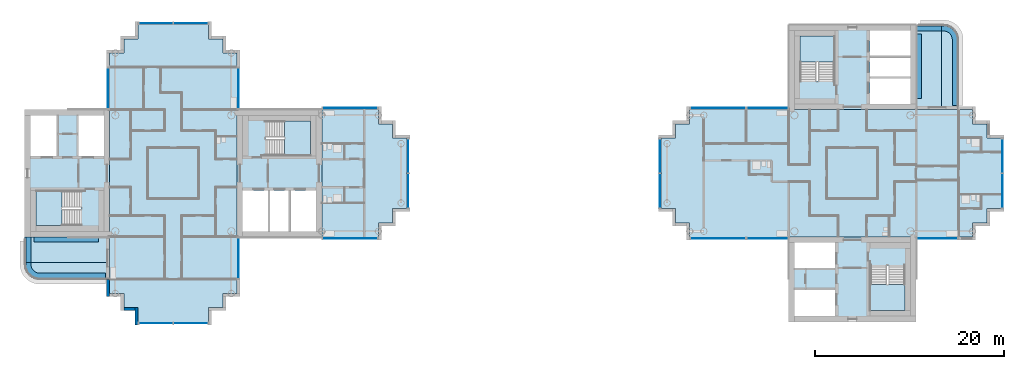
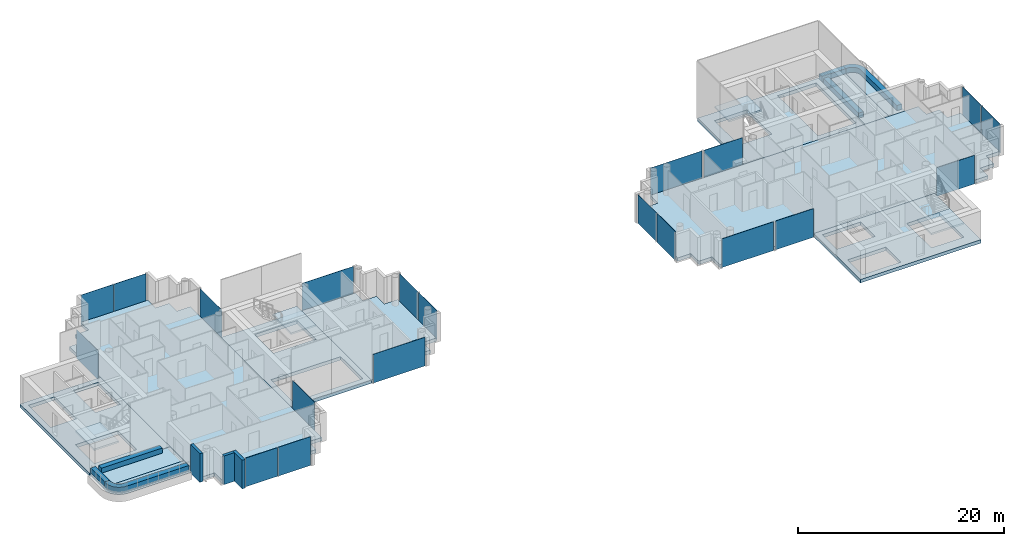
# One storey, part 5 of 18: 21 slabs, 20 plates, 3 walls, 19 elements without a shape of their own.
"""IFC4 building model written with IfcOpenShell, lengths in metres."""

from ifc_helpers import new_model, si_unit, direction, frame, frame_2d, origin, origin_2d, place, context, subcontext, project, spatial, polyline, rectangle, outline, extrude, material, layer, layer_set, type_object, element, aggregate, save


model = new_model("IFC4")

# Units and contexts
model_context = context("Model", 3, precision=1e-05, world=origin(), true_north=direction((0.0, 1.0)))
body_context = subcontext(model_context, "Body", "Model", "MODEL_VIEW")
ifc_project = project(units=[si_unit("LENGTHUNIT", "METRE"), si_unit("AREAUNIT", "SQUARE_METRE"), si_unit("VOLUMEUNIT", "CUBIC_METRE"), si_unit("PLANEANGLEUNIT", "RADIAN"), si_unit("MASSUNIT", "GRAM", prefix="KILO")], contexts=[model_context])

# Site, building, storey
site_placement = place(None, origin())
site = spatial("IfcSite", under=ifc_project, at=site_placement, CompositionType="ELEMENT")
building_placement = place(site_placement, origin())
building = spatial("IfcBuilding", under=site, at=building_placement, Name="Ipe Terrace Towers", CompositionType="ELEMENT")
storey_placement = place(building_placement, frame((0.0, 0.0, 192.60009765625)))
storey = spatial("IfcBuildingStorey", under=building, at=storey_placement, Name="L53", CompositionType="ELEMENT", Elevation=192.60009765625)

# Slabs
ifc_material_1 = material(Name="Concrete C30/37", Category="concrete")
ifc_layer_1 = layer(ifc_material_1, 0.199951171875)
ifc_layer_set_1 = layer_set([ifc_layer_1], Name="BALCONY SLAB 200")
slab_type_1 = type_object("IfcSlabType", Name="BALCONY SLAB 200", PredefinedType="FLOOR", material=ifc_layer_set_1)
slab_1_placement = place(storey_placement, frame((0.0, 0.0, -0.22021484375)))
element("IfcSlab", 1, at=slab_1_placement, inside=storey, type_object=slab_type_1, Name="balcony slab", PredefinedType="FLOOR", context=body_context, shape_type="SweptSolid", body=[
    extrude(outline(polyline([(-51.75, -6.75), (-51.75, -9.449951171875), (-42.75, -9.449951171875), (-42.75, -6.75), (-51.75, -6.75)])), origin(), (0.0, 0.0, 1.0), 0.2001953125),
])
slab_2_placement = place(storey_placement, frame((0.0, 0.0, -0.22021484375)))
element("IfcSlab", 2, at=slab_2_placement, inside=storey, type_object=slab_type_1, Name="balcony slab", PredefinedType="FLOOR", context=body_context, shape_type="SweptSolid", body=[
    extrude(outline(polyline([(-42.75, -11.25), (-42.75, -9.449951171875), (-51.75, -9.449951171875), (-51.75, -9.64990234375), (-51.736083984375, -9.85888671875), (-51.695068359375, -10.06396484375), (-51.6279296875, -10.261962890625), (-51.535888671875, -10.449951171875), (-51.4189453125, -10.6240234375), (-51.281005859375, -10.781005859375), (-51.1240234375, -10.9189453125), (-50.949951171875, -11.035888671875), (-50.761962890625, -11.1279296875), (-50.56396484375, -11.195068359375), (-50.35888671875, -11.236083984375), (-50.14990234375, -11.25), (-42.75, -11.25)])), origin(), (0.0, 0.0, 1.0), 0.2001953125),
])
slab_3_placement = place(storey_placement, frame((0.0, 0.0, -0.22021484375)))
element("IfcSlab", 3, at=slab_3_placement, inside=storey, type_object=slab_type_1, Name="balcony slab", PredefinedType="FLOOR", context=body_context, shape_type="SweptSolid", body=[
    extrude(outline(polyline([(42.75, 15.75), (42.75, 6.75), (45.449951171875, 6.75), (45.449951171875, 15.75), (42.75, 15.75)])), origin(), (0.0, 0.0, 1.0), 0.2001953125),
])
slab_4_placement = place(storey_placement, frame((0.0, 0.0, -0.22021484375)))
element("IfcSlab", 4, at=slab_4_placement, inside=storey, type_object=slab_type_1, Name="balcony slab", PredefinedType="FLOOR", context=body_context, shape_type="SweptSolid", body=[
    extrude(outline(polyline([(47.25, 6.75), (47.25, 14.14990234375), (47.236083984375, 14.35888671875), (47.195068359375, 14.56396484375), (47.1279296875, 14.761962890625), (47.035888671875, 14.949951171875), (46.9189453125, 15.1240234375), (46.781005859375, 15.281005859375), (46.6240234375, 15.4189453125), (46.449951171875, 15.535888671875), (46.261962890625, 15.6279296875), (46.06396484375, 15.695068359375), (45.85888671875, 15.736083984375), (45.64990234375, 15.75), (45.449951171875, 15.75), (45.449951171875, 6.75), (47.25, 6.75)])), origin(), (0.0, 0.0, 1.0), 0.2001953125),
])
ifc_material_2 = material(Name="Concrete C30/37", Category="concrete")
ifc_layer_2 = layer(ifc_material_2, 0.39990234375)
ifc_layer_set_2 = layer_set([ifc_layer_2], Name="CORE FLOOR SLAB 400 C30-37")
slab_type_2 = type_object("IfcSlabType", Name="CORE FLOOR SLAB 400 C30-37", PredefinedType="FLOOR", material=ifc_layer_set_2)
slab_5_placement = place(storey_placement, frame((0.0, 0.0, -0.400146484375)))
element("IfcSlab", 5, at=slab_5_placement, inside=storey, type_object=slab_type_2, Name="Core floor T1-C1", PredefinedType="FLOOR", context=body_context, shape_type="SweptSolid", body=[
    extrude(outline(polyline([(-29.25, -6.75), (-29.25, 6.75), (-20.25, 6.75), (-20.25, -6.75), (-29.25, -6.75)]), holes=[polyline([(-28.64990234375, -6.14990234375), (-20.85009765625, -6.14990234375), (-20.85009765625, -1.85009765625), (-28.64990234375, -1.85009765625), (-28.64990234375, -6.14990234375)]), polyline([(-26.199951171875, 5.550048828125), (-26.199951171875, 1.89990234375), (-21.449951171875, 1.89990234375), (-21.449951171875, 5.550048828125), (-26.199951171875, 5.550048828125)])]), origin(), (0.0, 0.0, 1.0), 0.400146484375),
])
slab_6_placement = place(storey_placement, frame((0.0, 0.0, -0.400146484375)))
element("IfcSlab", 6, at=slab_6_placement, inside=storey, type_object=slab_type_2, Name="Core floor T1-C2", PredefinedType="FLOOR", context=body_context, shape_type="SweptSolid", body=[
    extrude(outline(polyline([(-51.75, -6.75), (-51.75, 6.75), (-42.75, 6.75), (-42.75, -6.75), (-51.75, -6.75)]), holes=[polyline([(-45.800048828125, -1.89990234375), (-50.550048828125, -1.89990234375), (-50.550048828125, -5.550048828125), (-45.800048828125, -5.550048828125), (-45.800048828125, -1.89990234375)]), polyline([(-48.25, 1.85009765625), (-48.25, 6.14990234375), (-51.14990234375, 6.14990234375), (-51.14990234375, 1.85009765625), (-48.25, 1.85009765625)]), polyline([(-43.35009765625, 1.85009765625), (-43.35009765625, 6.14990234375), (-46.14990234375, 6.14990234375), (-46.14990234375, 1.85009765625), (-43.35009765625, 1.85009765625)])]), origin(), (0.0, 0.0, 1.0), 0.400146484375),
])
slab_7_placement = place(storey_placement, frame((0.0, 0.0, -0.400146484375)))
element("IfcSlab", 7, at=slab_7_placement, inside=storey, type_object=slab_type_2, Name="Core floor T2-C1", PredefinedType="FLOOR", context=body_context, shape_type="SweptSolid", body=[
    extrude(outline(polyline([(29.25, 6.75), (29.25, 15.75), (42.75, 15.75), (42.75, 6.75), (29.25, 6.75)]), holes=[polyline([(42.14990234375, 7.35009765625), (42.14990234375, 15.14990234375), (37.85009765625, 15.14990234375), (37.85009765625, 7.35009765625), (42.14990234375, 7.35009765625)]), polyline([(30.449951171875, 9.800048828125), (34.10009765625, 9.800048828125), (34.10009765625, 14.550048828125), (30.449951171875, 14.550048828125), (30.449951171875, 9.800048828125)])]), origin(), (0.0, 0.0, 1.0), 0.400146484375),
])
slab_8_placement = place(storey_placement, frame((0.0, 0.0, -0.400146484375)))
element("IfcSlab", 8, at=slab_8_placement, inside=storey, type_object=slab_type_2, Name="Core floor T2-C2", PredefinedType="FLOOR", context=body_context, shape_type="SweptSolid", body=[
    extrude(outline(polyline([(29.25, -15.75), (29.25, -6.75), (42.75, -6.75), (42.75, -15.75), (29.25, -15.75)]), holes=[polyline([(29.85009765625, -12.25), (29.85009765625, -15.14990234375), (34.14990234375, -15.14990234375), (34.14990234375, -12.25), (29.85009765625, -12.25)]), polyline([(41.550048828125, -9.800048828125), (37.89990234375, -9.800048828125), (37.89990234375, -14.550048828125), (41.550048828125, -14.550048828125), (41.550048828125, -9.800048828125)]), polyline([(34.14990234375, -7.35009765625), (29.85009765625, -7.35009765625), (29.85009765625, -10.14990234375), (34.14990234375, -10.14990234375), (34.14990234375, -7.35009765625)])]), origin(), (0.0, 0.0, 1.0), 0.400146484375),
])

# Stair, slab
ifc_material_3 = material(Name="Concrete C30/37", Category="concrete")
stair_type = type_object("IfcStairType", Name="Protected exit stair", PredefinedType="HALF_TURN_STAIR", material=ifc_material_3)
stair_1_placement = place(storey_placement, origin())
stair_1 = element("IfcStair", 9, at=stair_1_placement, inside=storey, type_object=stair_type, Name="L53 Exit stair T1-C1", PredefinedType="HALF_TURN_STAIR")
ifc_material_4 = material(Name="Concrete C30/37", Category="concrete")
ifc_layer_3 = layer(ifc_material_4, 0.199951171875)
ifc_layer_set_3 = layer_set([ifc_layer_3], Name="Exit stair landing 200")
slab_type_3 = type_object("IfcSlabType", Name="Exit stair landing 200", PredefinedType="LANDING", material=ifc_layer_set_3)
slab_9_placement = place(storey_placement, frame((0.0, 0.0, 1.5)))
slab_9 = element("IfcSlab", 10, at=slab_9_placement, type_object=slab_type_3, Name="T1-ST1 landing 1", PredefinedType="LANDING", context=body_context, shape_type="SweptSolid", body=[
    extrude(outline(polyline([(-24.219970703125, 1.89990234375), (-21.449951171875, 1.89990234375), (-21.449951171875, 5.550048828125), (-24.219970703125, 5.550048828125), (-24.219970703125, 1.89990234375)])), origin(), (0.0, 0.0, 1.0), 0.199951171875),
])
aggregate(stair_1, [slab_9])

stair_2_placement = place(storey_placement, origin())
stair_2 = element("IfcStair", 11, at=stair_2_placement, inside=storey, type_object=stair_type, Name="L53 Exit stair T1-C2", PredefinedType="HALF_TURN_STAIR")
slab_10_placement = place(storey_placement, frame((0.0, 0.0, 1.5)))
slab_10 = element("IfcSlab", 12, at=slab_10_placement, type_object=slab_type_3, Name="T1-ST2 landing 1", PredefinedType="LANDING", context=body_context, shape_type="SweptSolid", body=[
    extrude(outline(polyline([(-47.780029296875, -1.89990234375), (-50.550048828125, -1.89990234375), (-50.550048828125, -5.550048828125), (-47.780029296875, -5.550048828125), (-47.780029296875, -1.89990234375)])), origin(), (0.0, 0.0, 1.0), 0.199951171875),
])
aggregate(stair_2, [slab_10])

stair_3_placement = place(storey_placement, origin())
stair_3 = element("IfcStair", 13, at=stair_3_placement, inside=storey, type_object=stair_type, Name="L53 Exit stair T2-C1", PredefinedType="HALF_TURN_STAIR")
slab_11_placement = place(storey_placement, frame((0.0, 0.0, 1.5)))
slab_11 = element("IfcSlab", 14, at=slab_11_placement, type_object=slab_type_3, Name="T2-ST1 landing 1", PredefinedType="LANDING", context=body_context, shape_type="SweptSolid", body=[
    extrude(outline(polyline([(34.10009765625, 11.780029296875), (34.10009765625, 14.550048828125), (30.449951171875, 14.550048828125), (30.449951171875, 11.780029296875), (34.10009765625, 11.780029296875)])), origin(), (0.0, 0.0, 1.0), 0.199951171875),
])
aggregate(stair_3, [slab_11])

stair_4_placement = place(storey_placement, origin())
stair_4 = element("IfcStair", 15, at=stair_4_placement, inside=storey, type_object=stair_type, Name="L53 Exit stair T2-C2", PredefinedType="HALF_TURN_STAIR")
slab_12_placement = place(storey_placement, frame((0.0, 0.0, 1.5)))
slab_12 = element("IfcSlab", 16, at=slab_12_placement, type_object=slab_type_3, Name="T2-ST2 landing 1", PredefinedType="LANDING", context=body_context, shape_type="SweptSolid", body=[
    extrude(outline(polyline([(37.89990234375, -11.780029296875), (37.89990234375, -14.550048828125), (41.550048828125, -14.550048828125), (41.550048828125, -11.780029296875), (37.89990234375, -11.780029296875)])), origin(), (0.0, 0.0, 1.0), 0.199951171875),
])
aggregate(stair_4, [slab_12])

# Slabs
ifc_material_5 = material(Name="Concrete C40/50", Category="concrete")
ifc_layer_4 = layer(ifc_material_5, 0.39990234375)
ifc_layer_set_4 = layer_set([ifc_layer_4], Name="FLAT PLATE SLAB 400 C40-50")
slab_type_4 = type_object("IfcSlabType", Name="FLAT PLATE SLAB 400 C40-50", PredefinedType="FLOOR", material=ifc_layer_set_4)
slab_13_placement = place(storey_placement, frame((0.0, 0.0, -0.400146484375)))
element("IfcSlab", 17, at=slab_13_placement, inside=storey, type_object=slab_type_4, Name="Slab T1-FS-Z41", PredefinedType="FLOOR", context=body_context, shape_type="SweptSolid", body=[
    extrude(outline(polyline([(-30.75, -12.75), (-30.75, -14.25), (-32.25, -14.25), (-32.25, -15.75), (-39.75, -15.75), (-39.75, -14.25), (-41.25, -14.25), (-41.25, -12.75), (-42.75, -12.75), (-42.75, -6.75), (-42.75, 6.75), (-42.75, 12.75), (-41.25, 12.75), (-41.25, 14.25), (-39.75, 14.25), (-39.75, 15.75), (-32.25, 15.75), (-32.25, 14.25), (-30.75, 14.25), (-30.75, 12.75), (-29.25, 12.75), (-29.25, 6.75), (-29.25, -6.75), (-29.25, -12.75), (-30.75, -12.75)])), origin(), (0.0, 0.0, 1.0), 0.400146484375),
])
slab_14_placement = place(storey_placement, frame((0.0, 0.0, -0.400146484375)))
element("IfcSlab", 18, at=slab_14_placement, inside=storey, type_object=slab_type_4, Name="Slab T1-FS-Z42", PredefinedType="FLOOR", context=body_context, shape_type="SweptSolid", body=[
    extrude(outline(polyline([(-14.25, 5.25), (-12.75, 5.25), (-12.75, 3.75), (-11.25, 3.75), (-11.25, -3.75), (-12.75, -3.75), (-12.75, -5.25), (-14.25, -5.25), (-14.25, -6.75), (-20.25, -6.75), (-20.25, 6.75), (-14.25, 6.75), (-14.25, 5.25)])), origin(), (0.0, 0.0, 1.0), 0.400146484375),
])
slab_15_placement = place(storey_placement, frame((0.0, 0.0, -0.400146484375)))
element("IfcSlab", 19, at=slab_15_placement, inside=storey, type_object=slab_type_4, Name="Slab T2-FS-Z41", PredefinedType="FLOOR", context=body_context, shape_type="SweptSolid", body=[
    extrude(outline(polyline([(48.75, 5.25), (50.25, 5.25), (50.25, 3.75), (51.75, 3.75), (51.75, -3.75), (50.25, -3.75), (50.25, -5.25), (48.75, -5.25), (48.75, -6.75), (42.75, -6.75), (29.25, -6.75), (18.75, -6.75), (18.75, -5.25), (17.25, -5.25), (17.25, -3.75), (15.75, -3.75), (15.75, 3.75), (17.25, 3.75), (17.25, 5.25), (18.75, 5.25), (18.75, 6.75), (29.25, 6.75), (42.75, 6.75), (48.75, 6.75), (48.75, 5.25)])), origin(), (0.0, 0.0, 1.0), 0.400146484375),
])
ifc_material_6 = material(Name="Concrete C30/37", Category="concrete")
ifc_layer_5 = layer(ifc_material_6, 0.60009765625)
ifc_layer_set_5 = layer_set([ifc_layer_5], Name="PLANTER TROUGH 550 x 600")
slab_type_5 = type_object("IfcSlabType", Name="PLANTER TROUGH 550 x 600", PredefinedType="USERDEFINED", material=ifc_layer_set_5)
slab_16_placement = place(storey_placement, frame((0.0, 0.0, -0.02001953125)))
element("IfcSlab", 20, at=slab_16_placement, inside=storey, type_object=slab_type_5, Name="planter", ObjectType="PLANTER", PredefinedType="USERDEFINED", context=body_context, shape_type="SweptSolid", body=[
    extrude(outline(polyline([(-51.639892578125, -6.75), (-51.639892578125, -9.449951171875), (-51.090087890625, -9.449951171875), (-51.090087890625, -6.75), (-51.639892578125, -6.75)])), origin(), (0.0, 0.0, 1.0), 0.599853515625),
])
slab_17_placement = place(storey_placement, frame((0.0, 0.0, -0.02001953125)))
element("IfcSlab", 21, at=slab_17_placement, inside=storey, type_object=slab_type_5, Name="planter", ObjectType="PLANTER", PredefinedType="USERDEFINED", context=body_context, shape_type="SweptSolid", body=[
    extrude(outline(polyline([(-51.056884765625, -9.89306640625), (-51.0810546875, -9.77294921875), (-51.090087890625, -9.6279296875), (-51.090087890625, -9.449951171875), (-51.639892578125, -9.449951171875), (-51.639892578125, -9.636962890625), (-51.638916015625, -9.655029296875), (-51.6279296875, -9.825927734375), (-51.6240234375, -9.862060546875), (-51.593017578125, -10.01806640625), (-51.5830078125, -10.052978515625), (-51.531982421875, -10.202880859375), (-51.51806640625, -10.236083984375), (-51.447998046875, -10.37890625), (-51.429931640625, -10.409912109375), (-51.342041015625, -10.5419921875), (-51.320068359375, -10.570068359375), (-51.215087890625, -10.68994140625), (-51.18994140625, -10.715087890625), (-51.070068359375, -10.820068359375), (-51.0419921875, -10.842041015625), (-50.909912109375, -10.929931640625), (-50.87890625, -10.947998046875), (-50.736083984375, -11.01806640625), (-50.702880859375, -11.031982421875), (-50.552978515625, -11.0830078125), (-50.51806640625, -11.093017578125), (-50.362060546875, -11.1240234375), (-50.325927734375, -11.1279296875), (-50.155029296875, -11.138916015625), (-50.136962890625, -11.139892578125), (-43.199951171875, -11.139892578125), (-43.199951171875, -10.590087890625), (-50.1279296875, -10.590087890625), (-50.27294921875, -10.5810546875), (-50.39306640625, -10.556884765625), (-50.509033203125, -10.51708984375), (-50.618896484375, -10.462890625), (-50.720947265625, -10.39501953125), (-50.81396484375, -10.31396484375), (-50.89501953125, -10.220947265625), (-50.962890625, -10.118896484375), (-51.01708984375, -10.009033203125), (-51.056884765625, -9.89306640625)])), origin(), (0.0, 0.0, 1.0), 0.599853515625),
])
slab_18_placement = place(storey_placement, frame((0.0, 0.0, -0.02001953125)))
element("IfcSlab", 22, at=slab_18_placement, inside=storey, type_object=slab_type_5, Name="planter", ObjectType="PLANTER", PredefinedType="USERDEFINED", context=body_context, shape_type="SweptSolid", body=[
    extrude(outline(polyline([(-43.949951171875, -6.75), (-50.75, -6.75), (-50.75, -7.300048828125), (-43.949951171875, -7.300048828125), (-43.949951171875, -6.75)])), origin(), (0.0, 0.0, 1.0), 0.599853515625),
])
slab_19_placement = place(storey_placement, frame((0.0, 0.0, -0.02001953125)))
element("IfcSlab", 23, at=slab_19_placement, inside=storey, type_object=slab_type_5, Name="planter", ObjectType="PLANTER", PredefinedType="USERDEFINED", context=body_context, shape_type="SweptSolid", body=[
    extrude(outline(polyline([(42.75, 15.639892578125), (42.75, 15.090087890625), (45.449951171875, 15.090087890625), (45.449951171875, 15.639892578125), (42.75, 15.639892578125)])), origin(), (0.0, 0.0, 1.0), 0.599853515625),
])
slab_20_placement = place(storey_placement, frame((0.0, 0.0, -0.02001953125)))
element("IfcSlab", 24, at=slab_20_placement, inside=storey, type_object=slab_type_5, Name="planter", ObjectType="PLANTER", PredefinedType="USERDEFINED", context=body_context, shape_type="SweptSolid", body=[
    extrude(outline(polyline([(45.89306640625, 15.056884765625), (46.009033203125, 15.01708984375), (46.118896484375, 14.962890625), (46.220947265625, 14.89501953125), (46.31396484375, 14.81396484375), (46.39501953125, 14.720947265625), (46.462890625, 14.618896484375), (46.51708984375, 14.509033203125), (46.556884765625, 14.39306640625), (46.5810546875, 14.27294921875), (46.590087890625, 14.1279296875), (46.590087890625, 7.199951171875), (47.139892578125, 7.199951171875), (47.139892578125, 14.136962890625), (47.138916015625, 14.155029296875), (47.1279296875, 14.325927734375), (47.1240234375, 14.362060546875), (47.093017578125, 14.51806640625), (47.0830078125, 14.552978515625), (47.031982421875, 14.702880859375), (47.01806640625, 14.736083984375), (46.947998046875, 14.87890625), (46.929931640625, 14.909912109375), (46.842041015625, 15.0419921875), (46.820068359375, 15.070068359375), (46.715087890625, 15.18994140625), (46.68994140625, 15.215087890625), (46.570068359375, 15.320068359375), (46.5419921875, 15.342041015625), (46.409912109375, 15.429931640625), (46.37890625, 15.447998046875), (46.236083984375, 15.51806640625), (46.202880859375, 15.531982421875), (46.052978515625, 15.5830078125), (46.01806640625, 15.593017578125), (45.862060546875, 15.6240234375), (45.825927734375, 15.6279296875), (45.655029296875, 15.638916015625), (45.636962890625, 15.639892578125), (45.449951171875, 15.639892578125), (45.449951171875, 15.090087890625), (45.6279296875, 15.090087890625), (45.77294921875, 15.0810546875), (45.89306640625, 15.056884765625)])), origin(), (0.0, 0.0, 1.0), 0.599853515625),
])
slab_21_placement = place(storey_placement, frame((0.0, 0.0, -0.02001953125)))
element("IfcSlab", 25, at=slab_21_placement, inside=storey, type_object=slab_type_5, Name="planter", ObjectType="PLANTER", PredefinedType="USERDEFINED", context=body_context, shape_type="SweptSolid", body=[
    extrude(outline(polyline([(42.75, 7.949951171875), (43.300048828125, 7.949951171875), (43.300048828125, 14.75), (42.75, 14.75), (42.75, 7.949951171875)])), origin(), (0.0, 0.0, 1.0), 0.599853515625),
])

# Curtain wall, plates
ifc_material_7 = material(Name="Aluminium alloy 6063-T6", Category="aluminium")
ifc_layer_6 = layer(ifc_material_7, 0.320068359375)
ifc_layer_set_6 = layer_set([ifc_layer_6], Name="TOWER UNITISED CURTAIN WALL")
curtain_wall_type = type_object("IfcCurtainWallType", Name="TOWER UNITISED CURTAIN WALL", PredefinedType="NOTDEFINED", material=ifc_layer_set_6)
curtain_wall_1_placement = place(storey_placement, origin())
curtain_wall_1 = element("IfcCurtainWall", 26, at=curtain_wall_1_placement, inside=storey, type_object=curtain_wall_type, Name="T1-CW-L53-08a curtain wall", PredefinedType="NOTDEFINED")
ifc_material_8 = material(Name="Glass, clear laminated", Category="glass")
ifc_layer_7 = layer(ifc_material_8, 0.031982421875)
ifc_layer_set_7 = layer_set([ifc_layer_7], Name="TOWER UNITISED GLASS PANEL 32")
plate_type = type_object("IfcPlateType", Name="TOWER UNITISED GLASS PANEL 32", PredefinedType="CURTAIN_PANEL", material=ifc_layer_set_7)
plate_1_placement = place(storey_placement, frame((-37.831298828125, -15.909912109375, -0.300048828125), z_axis=(0.0, 0.0, 1.0), x_axis=(1.0, 0.0, 0.0)))
plate_1 = element("IfcPlate", 27, at=plate_1_placement, type_object=plate_type, Name="T1-CW-L53-08a panel 1", PredefinedType="CURTAIN_PANEL", context=body_context, shape_type="SweptSolid", body=[
    extrude(rectangle(XDim=3.597412109375, YDim=0.031982421875, at=origin_2d()), origin(), (0.0, 0.0, 1.0), 3.39990234375),
])
plate_2_placement = place(storey_placement, frame((-34.168701171875, -15.909912109375, -0.300048828125), z_axis=(0.0, 0.0, 1.0), x_axis=(1.0, 0.0, 0.0)))
plate_2 = element("IfcPlate", 28, at=plate_2_placement, type_object=plate_type, Name="T1-CW-L53-08a panel 2", PredefinedType="CURTAIN_PANEL", context=body_context, shape_type="SweptSolid", body=[
    extrude(rectangle(XDim=3.597412109375, YDim=0.031982421875, at=origin_2d()), origin(), (0.0, 0.0, 1.0), 3.39990234375),
])
aggregate(curtain_wall_1, [plate_1, plate_2])

# Curtain wall, plate
curtain_wall_2_placement = place(storey_placement, origin())
curtain_wall_2 = element("IfcCurtainWall", 29, at=curtain_wall_2_placement, inside=storey, type_object=curtain_wall_type, Name="T1-CW-L53-14a curtain wall", PredefinedType="NOTDEFINED")
plate_3_placement = place(storey_placement, frame((-29.090087890625, -9.0, -0.300048828125), z_axis=(0.0, 0.0, 1.0), x_axis=(0.0, 1.0, 0.0)))
plate_3 = element("IfcPlate", 30, at=plate_3_placement, type_object=plate_type, Name="T1-CW-L53-14a panel 1", PredefinedType="CURTAIN_PANEL", context=body_context, shape_type="SweptSolid", body=[
    extrude(rectangle(XDim=4.260009765625, YDim=0.031982421875, at=origin_2d()), origin(), (0.0, 0.0, 1.0), 3.39990234375),
])
aggregate(curtain_wall_2, [plate_3])

curtain_wall_3_placement = place(storey_placement, origin())
curtain_wall_3 = element("IfcCurtainWall", 31, at=curtain_wall_3_placement, inside=storey, type_object=curtain_wall_type, Name="T1-CW-L53-16b curtain wall", PredefinedType="NOTDEFINED")
plate_4_placement = place(storey_placement, frame((-17.24951171875, -6.909912109375, -0.300048828125), z_axis=(0.0, 0.0, 1.0), x_axis=(1.0, 0.0, 0.0)))
plate_4 = element("IfcPlate", 32, at=plate_4_placement, type_object=plate_type, Name="T1-CW-L53-16b panel 1", PredefinedType="CURTAIN_PANEL", context=body_context, shape_type="SweptSolid", body=[
    extrude(rectangle(XDim=5.759033203125, YDim=0.031982421875, at=origin_2d()), origin(), (0.0, 0.0, 1.0), 3.39990234375),
])
aggregate(curtain_wall_3, [plate_4])

# Curtain wall, plates
curtain_wall_4_placement = place(storey_placement, origin())
curtain_wall_4 = element("IfcCurtainWall", 33, at=curtain_wall_4_placement, inside=storey, type_object=curtain_wall_type, Name="T1-CW-L53-21a curtain wall", PredefinedType="NOTDEFINED")
plate_5_placement = place(storey_placement, frame((-11.090087890625, -1.831298828125, -0.300048828125), z_axis=(0.0, 0.0, 1.0), x_axis=(0.0, 1.0, 0.0)))
plate_5 = element("IfcPlate", 34, at=plate_5_placement, type_object=plate_type, Name="T1-CW-L53-21a panel 1", PredefinedType="CURTAIN_PANEL", context=body_context, shape_type="SweptSolid", body=[
    extrude(rectangle(XDim=3.597412109375, YDim=0.031982421875, at=origin_2d()), origin(), (0.0, 0.0, 1.0), 3.39990234375),
])
plate_6_placement = place(storey_placement, frame((-11.090087890625, 1.831298828125, -0.300048828125), z_axis=(0.0, 0.0, 1.0), x_axis=(0.0, 1.0, 0.0)))
plate_6 = element("IfcPlate", 35, at=plate_6_placement, type_object=plate_type, Name="T1-CW-L53-21a panel 2", PredefinedType="CURTAIN_PANEL", context=body_context, shape_type="SweptSolid", body=[
    extrude(rectangle(XDim=3.597412109375, YDim=0.031982421875, at=origin_2d()), origin(), (0.0, 0.0, 1.0), 3.39990234375),
])
aggregate(curtain_wall_4, [plate_5, plate_6])

# Curtain wall, plate
curtain_wall_5_placement = place(storey_placement, origin())
curtain_wall_5 = element("IfcCurtainWall", 36, at=curtain_wall_5_placement, inside=storey, type_object=curtain_wall_type, Name="T1-CW-L53-26a curtain wall", PredefinedType="NOTDEFINED")
plate_7_placement = place(storey_placement, frame((-17.24951171875, 6.909912109375, -0.300048828125), z_axis=(0.0, 0.0, 1.0), x_axis=(-1.0, 0.0, 0.0)))
plate_7 = element("IfcPlate", 37, at=plate_7_placement, type_object=plate_type, Name="T1-CW-L53-26a panel 1", PredefinedType="CURTAIN_PANEL", context=body_context, shape_type="SweptSolid", body=[
    extrude(rectangle(XDim=5.759033203125, YDim=0.031982421875, at=origin_2d()), origin(), (0.0, 0.0, 1.0), 3.39990234375),
])
aggregate(curtain_wall_5, [plate_7])

curtain_wall_6_placement = place(storey_placement, origin())
curtain_wall_6 = element("IfcCurtainWall", 38, at=curtain_wall_6_placement, inside=storey, type_object=curtain_wall_type, Name="T1-CW-L53-28a curtain wall", PredefinedType="NOTDEFINED")
plate_8_placement = place(storey_placement, frame((-29.090087890625, 9.0, -0.300048828125), z_axis=(0.0, 0.0, 1.0), x_axis=(0.0, 1.0, 0.0)))
plate_8 = element("IfcPlate", 39, at=plate_8_placement, type_object=plate_type, Name="T1-CW-L53-28a panel 1", PredefinedType="CURTAIN_PANEL", context=body_context, shape_type="SweptSolid", body=[
    extrude(rectangle(XDim=4.260009765625, YDim=0.031982421875, at=origin_2d()), origin(), (0.0, 0.0, 1.0), 3.39990234375),
])
aggregate(curtain_wall_6, [plate_8])

# Curtain wall, plates
curtain_wall_7_placement = place(storey_placement, origin())
curtain_wall_7 = element("IfcCurtainWall", 40, at=curtain_wall_7_placement, inside=storey, type_object=curtain_wall_type, Name="T1-CW-L53-34a curtain wall", PredefinedType="NOTDEFINED")
plate_9_placement = place(storey_placement, frame((-34.168701171875, 15.909912109375, -0.300048828125), z_axis=(0.0, 0.0, 1.0), x_axis=(-1.0, 0.0, 0.0)))
plate_9 = element("IfcPlate", 41, at=plate_9_placement, type_object=plate_type, Name="T1-CW-L53-34a panel 1", PredefinedType="CURTAIN_PANEL", context=body_context, shape_type="SweptSolid", body=[
    extrude(rectangle(XDim=3.597412109375, YDim=0.031982421875, at=origin_2d()), origin(), (0.0, 0.0, 1.0), 3.39990234375),
])
plate_10_placement = place(storey_placement, frame((-37.831298828125, 15.909912109375, -0.300048828125), z_axis=(0.0, 0.0, 1.0), x_axis=(-1.0, 0.0, 0.0)))
plate_10 = element("IfcPlate", 42, at=plate_10_placement, type_object=plate_type, Name="T1-CW-L53-34a panel 2", PredefinedType="CURTAIN_PANEL", context=body_context, shape_type="SweptSolid", body=[
    extrude(rectangle(XDim=3.597412109375, YDim=0.031982421875, at=origin_2d()), origin(), (0.0, 0.0, 1.0), 3.39990234375),
])
aggregate(curtain_wall_7, [plate_9, plate_10])

# Curtain wall, plate
curtain_wall_8_placement = place(storey_placement, origin())
curtain_wall_8 = element("IfcCurtainWall", 43, at=curtain_wall_8_placement, inside=storey, type_object=curtain_wall_type, Name="T1-CW-L53-40a curtain wall", PredefinedType="NOTDEFINED")
plate_11_placement = place(storey_placement, frame((-42.909912109375, 9.0, -0.300048828125), z_axis=(0.0, 0.0, 1.0), x_axis=(0.0, -1.0, 0.0)))
plate_11 = element("IfcPlate", 44, at=plate_11_placement, type_object=plate_type, Name="T1-CW-L53-40a panel 1", PredefinedType="CURTAIN_PANEL", context=body_context, shape_type="SweptSolid", body=[
    extrude(rectangle(XDim=4.260009765625, YDim=0.031982421875, at=origin_2d()), origin(), (0.0, 0.0, 1.0), 3.39990234375),
])
aggregate(curtain_wall_8, [plate_11])

curtain_wall_9_placement = place(storey_placement, origin())
curtain_wall_9 = element("IfcCurtainWall", 45, at=curtain_wall_9_placement, inside=storey, type_object=curtain_wall_type, Name="T2-CW-L53-02a curtain wall", PredefinedType="NOTDEFINED")
plate_12_placement = place(storey_placement, frame((45.0, -6.909912109375, -0.300048828125), z_axis=(0.0, 0.0, 1.0), x_axis=(1.0, 0.0, 0.0)))
plate_12 = element("IfcPlate", 46, at=plate_12_placement, type_object=plate_type, Name="T2-CW-L53-02a panel 1", PredefinedType="CURTAIN_PANEL", context=body_context, shape_type="SweptSolid", body=[
    extrude(rectangle(XDim=4.260009765625, YDim=0.031982421875, at=origin_2d()), origin(), (0.0, 0.0, 1.0), 3.39990234375),
])
aggregate(curtain_wall_9, [plate_12])

# Curtain wall, plates
curtain_wall_10_placement = place(storey_placement, origin())
curtain_wall_10 = element("IfcCurtainWall", 47, at=curtain_wall_10_placement, inside=storey, type_object=curtain_wall_type, Name="T2-CW-L53-08a curtain wall", PredefinedType="NOTDEFINED")
plate_13_placement = place(storey_placement, frame((51.909912109375, -1.831298828125, -0.300048828125), z_axis=(0.0, 0.0, 1.0), x_axis=(0.0, 1.0, 0.0)))
plate_13 = element("IfcPlate", 48, at=plate_13_placement, type_object=plate_type, Name="T2-CW-L53-08a panel 1", PredefinedType="CURTAIN_PANEL", context=body_context, shape_type="SweptSolid", body=[
    extrude(rectangle(XDim=3.597412109375, YDim=0.031982421875, at=origin_2d()), origin(), (0.0, 0.0, 1.0), 3.39990234375),
])
plate_14_placement = place(storey_placement, frame((51.909912109375, 1.831298828125, -0.300048828125), z_axis=(0.0, 0.0, 1.0), x_axis=(0.0, 1.0, 0.0)))
plate_14 = element("IfcPlate", 49, at=plate_14_placement, type_object=plate_type, Name="T2-CW-L53-08a panel 2", PredefinedType="CURTAIN_PANEL", context=body_context, shape_type="SweptSolid", body=[
    extrude(rectangle(XDim=3.597412109375, YDim=0.031982421875, at=origin_2d()), origin(), (0.0, 0.0, 1.0), 3.39990234375),
])
aggregate(curtain_wall_10, [plate_13, plate_14])

# Curtain wall, plate
curtain_wall_11_placement = place(storey_placement, origin())
curtain_wall_11 = element("IfcCurtainWall", 50, at=curtain_wall_11_placement, inside=storey, type_object=curtain_wall_type, Name="T2-CW-L53-20a curtain wall", PredefinedType="NOTDEFINED")
plate_15_placement = place(storey_placement, frame((27.0, 6.909912109375, -0.300048828125), z_axis=(0.0, 0.0, 1.0), x_axis=(-1.0, 0.0, 0.0)))
plate_15 = element("IfcPlate", 51, at=plate_15_placement, type_object=plate_type, Name="T2-CW-L53-20a panel 1", PredefinedType="CURTAIN_PANEL", context=body_context, shape_type="SweptSolid", body=[
    extrude(rectangle(XDim=4.260009765625, YDim=0.031982421875, at=origin_2d()), origin(), (0.0, 0.0, 1.0), 3.39990234375),
])
aggregate(curtain_wall_11, [plate_15])

curtain_wall_12_placement = place(storey_placement, origin())
curtain_wall_12 = element("IfcCurtainWall", 52, at=curtain_wall_12_placement, inside=storey, type_object=curtain_wall_type, Name="T2-CW-L53-21a curtain wall", PredefinedType="NOTDEFINED")
plate_16_placement = place(storey_placement, frame((21.75, 6.909912109375, -0.300048828125), z_axis=(0.0, 0.0, 1.0), x_axis=(-1.0, 0.0, 0.0)))
plate_16 = element("IfcPlate", 53, at=plate_16_placement, type_object=plate_type, Name="T2-CW-L53-21a panel 1", PredefinedType="CURTAIN_PANEL", context=body_context, shape_type="SweptSolid", body=[
    extrude(rectangle(XDim=5.760009765625, YDim=0.031982421875, at=origin_2d()), origin(), (0.0, 0.0, 1.0), 3.39990234375),
])
aggregate(curtain_wall_12, [plate_16])

# Curtain wall, plates
curtain_wall_13_placement = place(storey_placement, origin())
curtain_wall_13 = element("IfcCurtainWall", 54, at=curtain_wall_13_placement, inside=storey, type_object=curtain_wall_type, Name="T2-CW-L53-26a curtain wall", PredefinedType="NOTDEFINED")
plate_17_placement = place(storey_placement, frame((15.590087890625, 1.831298828125, -0.300048828125), z_axis=(0.0, 0.0, 1.0), x_axis=(0.0, -1.0, 0.0)))
plate_17 = element("IfcPlate", 55, at=plate_17_placement, type_object=plate_type, Name="T2-CW-L53-26a panel 1", PredefinedType="CURTAIN_PANEL", context=body_context, shape_type="SweptSolid", body=[
    extrude(rectangle(XDim=3.597412109375, YDim=0.031982421875, at=origin_2d()), origin(), (0.0, 0.0, 1.0), 3.39990234375),
])
plate_18_placement = place(storey_placement, frame((15.590087890625, -1.831298828125, -0.300048828125), z_axis=(0.0, 0.0, 1.0), x_axis=(0.0, -1.0, 0.0)))
plate_18 = element("IfcPlate", 56, at=plate_18_placement, type_object=plate_type, Name="T2-CW-L53-26a panel 2", PredefinedType="CURTAIN_PANEL", context=body_context, shape_type="SweptSolid", body=[
    extrude(rectangle(XDim=3.597412109375, YDim=0.031982421875, at=origin_2d()), origin(), (0.0, 0.0, 1.0), 3.39990234375),
])
aggregate(curtain_wall_13, [plate_17, plate_18])

# Curtain wall, plate
curtain_wall_14_placement = place(storey_placement, origin())
curtain_wall_14 = element("IfcCurtainWall", 57, at=curtain_wall_14_placement, inside=storey, type_object=curtain_wall_type, Name="T2-CW-L53-31a curtain wall", PredefinedType="NOTDEFINED")
plate_19_placement = place(storey_placement, frame((21.75, -6.909912109375, -0.300048828125), z_axis=(0.0, 0.0, 1.0), x_axis=(1.0, 0.0, 0.0)))
plate_19 = element("IfcPlate", 58, at=plate_19_placement, type_object=plate_type, Name="T2-CW-L53-31a panel 1", PredefinedType="CURTAIN_PANEL", context=body_context, shape_type="SweptSolid", body=[
    extrude(rectangle(XDim=5.760009765625, YDim=0.031982421875, at=origin_2d()), origin(), (0.0, 0.0, 1.0), 3.39990234375),
])
aggregate(curtain_wall_14, [plate_19])

curtain_wall_15_placement = place(storey_placement, origin())
curtain_wall_15 = element("IfcCurtainWall", 59, at=curtain_wall_15_placement, inside=storey, type_object=curtain_wall_type, Name="T2-CW-L53-32a curtain wall", PredefinedType="NOTDEFINED")
plate_20_placement = place(storey_placement, frame((27.0, -6.909912109375, -0.300048828125), z_axis=(0.0, 0.0, 1.0), x_axis=(1.0, 0.0, 0.0)))
plate_20 = element("IfcPlate", 60, at=plate_20_placement, type_object=plate_type, Name="T2-CW-L53-32a panel 1", PredefinedType="CURTAIN_PANEL", context=body_context, shape_type="SweptSolid", body=[
    extrude(rectangle(XDim=4.260009765625, YDim=0.031982421875, at=origin_2d()), origin(), (0.0, 0.0, 1.0), 3.39990234375),
])
aggregate(curtain_wall_15, [plate_20])

# Walls
ifc_material_9 = material(Name="Concrete C40/50 with buff precast cladding", Category="concrete")
ifc_layer_8 = layer(ifc_material_9, 0.320068359375)
ifc_layer_set_8 = layer_set([ifc_layer_8], Name="BUFF CLADDING WALL 320")
wall_type = type_object("IfcWallType", Name="BUFF CLADDING WALL 320", PredefinedType="STANDARD", material=ifc_layer_set_8)
wall_1_placement = place(storey_placement, frame((-42.909912109375, -11.25, -0.300048828125), z_axis=(0.0, 0.0, 1.0), x_axis=(0.0, -1.0, 0.0)))
element("IfcWall", 61, at=wall_1_placement, inside=storey, type_object=wall_type, Name="T1-W-L53-03a wall", PredefinedType="STANDARD", context=body_context, shape_type="SweptSolid", body=[
    extrude(rectangle(XDim=1.820068359375, YDim=0.320068359375, at=frame_2d((0.91015625, 0.0))), origin(), (0.0, 0.0, 1.0), 3.39990234375),
])
wall_2_placement = place(storey_placement, frame((-41.25, -14.409912109375, -0.300048828125), z_axis=(0.0, 0.0, 1.0), x_axis=(1.0, 0.0, 0.0)))
element("IfcWall", 62, at=wall_2_placement, inside=storey, type_object=wall_type, Name="T1-W-L53-06a wall", PredefinedType="STANDARD", context=body_context, shape_type="SweptSolid", body=[
    extrude(rectangle(XDim=1.179931640625, YDim=0.320068359375, at=frame_2d((0.58984375, 0.0))), origin(), (0.0, 0.0, 1.0), 3.39990234375),
])
wall_3_placement = place(storey_placement, frame((-39.909912109375, -14.25, -0.300048828125), z_axis=(0.0, 0.0, 1.0), x_axis=(0.0, -1.0, 0.0)))
element("IfcWall", 63, at=wall_3_placement, inside=storey, type_object=wall_type, Name="T1-W-L53-07a wall", PredefinedType="STANDARD", context=body_context, shape_type="SweptSolid", body=[
    extrude(rectangle(XDim=1.820068359375, YDim=0.320068359375, at=frame_2d((0.91015625, 0.0))), origin(), (0.0, 0.0, 1.0), 3.39990234375),
])

save(model, "model.ifc")
